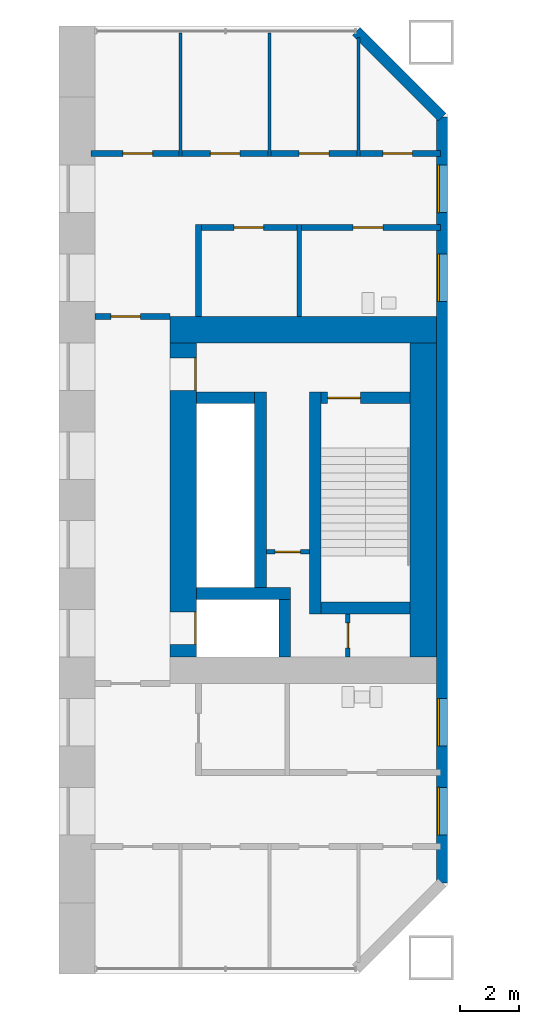
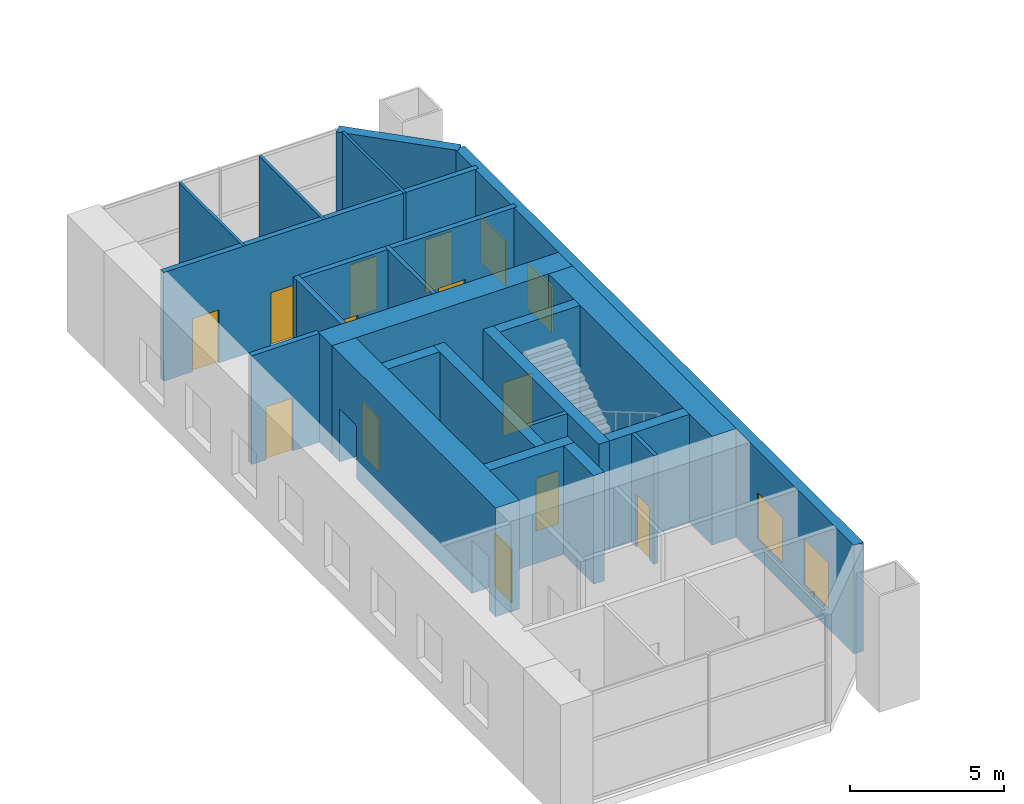
# One storey, part 13 of 21: 22 walls, 12 doors, 4 windows, 16 openings.
"""IFC4 building model written with IfcOpenShell, lengths in metres."""

from ifc_helpers import new_model, si_unit, direction, frame, frame_2d, origin, place, context, subcontext, project, spatial, rectangle, extrude, material, layer, layer_set, type_object, element, fill, save


model = new_model("IFC4")

# Units and contexts
model_context = context("Model", 3, precision=1e-05, world=origin(), true_north=direction((0.0, 1.0)))
body_context = subcontext(model_context, "Body", "Model", "MODEL_VIEW")
ifc_project = project(units=[si_unit("LENGTHUNIT", "METRE"), si_unit("AREAUNIT", "SQUARE_METRE"), si_unit("VOLUMEUNIT", "CUBIC_METRE"), si_unit("PLANEANGLEUNIT", "RADIAN"), si_unit("MASSUNIT", "GRAM", prefix="KILO")], contexts=[model_context])

# Site, building, storey
site_placement = place(None, origin())
site = spatial("IfcSite", under=ifc_project, at=site_placement, CompositionType="ELEMENT")
building_placement = place(site_placement, origin())
building = spatial("IfcBuilding", under=site, at=building_placement, Name="Tuart Gate Housing", CompositionType="ELEMENT")
storey_placement = place(building_placement, frame((0.0, 0.0, 5.5)))
storey = spatial("IfcBuildingStorey", under=building, at=storey_placement, Name="L01", CompositionType="ELEMENT", Elevation=5.5)

# Wall
ifc_material_1 = material(Name="Gypsum board on steel studs", Category="steel")
ifc_layer_1 = layer(ifc_material_1, 0.14990234375)
ifc_layer_set_1 = layer_set([ifc_layer_1], Name="Bathroom wall 150")
wall_type_1 = type_object("IfcWallType", Name="Bathroom wall 150", PredefinedType="PLUMBINGWALL", material=ifc_layer_set_1)
wall_1_placement = place(storey_placement, frame((71.0, 76.199951171875, 0.0), z_axis=(0.0, 0.0, 1.0), x_axis=(0.0, 1.0, 0.0)))
element("IfcWall", 1, at=wall_1_placement, inside=storey, type_object=wall_type_1, Name="Bathroom wall 150", PredefinedType="PLUMBINGWALL", context=body_context, shape_type="SweptSolid", body=[
    extrude(rectangle(XDim=3.10009765625, YDim=0.14990234375, at=frame_2d((1.550048828125, 0.0))), origin(), (0.0, 0.0, 1.0), 4.300048828125),
])

# Wall, openings, windows
ifc_material_2 = material(Name="Brick", Category="masonry")
ifc_layer_2 = layer(ifc_material_2, 0.360107421875)
ifc_layer_set_2 = layer_set([ifc_layer_2], Name="Brick pier and spandrel wall 360")
wall_type_2 = type_object("IfcWallType", Name="Brick pier and spandrel wall 360", PredefinedType="STANDARD", material=ifc_layer_set_2)
wall_2_placement = place(storey_placement, frame((75.820068359375, 57.07470703125, 0.0), z_axis=(0.0, 0.0, 1.0), x_axis=(0.0, 1.0, 0.0)))
wall_2 = element("IfcWall", 2, at=wall_2_placement, inside=storey, type_object=wall_type_2, Name="External wall A-E L01", PredefinedType="STANDARD", context=body_context, shape_type="SweptSolid", body=[
    extrude(rectangle(XDim=25.850830078125, YDim=0.360107421875, at=frame_2d((12.92529296875, 0.0))), origin(), (0.0, 0.0, 1.0), 4.300048828125),
])
opening_1_placement = place(wall_2_placement, frame((1.62548828125, 0.0, 0.800048828125)))
opening_1 = element("IfcOpeningElement", 3, at=opening_1_placement, cuts=wall_2, Name="Opening W1", PredefinedType="OPENING", context=body_context, shape_type="SweptSolid", body=[
    extrude(rectangle(XDim=1.60009765625, YDim=1.800048828125, at=frame_2d((0.800048828125, 0.89990234375))), frame((0.0, 0.18994140625, 0.0), z_axis=(0.0, -1.0, 0.0), x_axis=(1.0, 0.0, 0.0)), (0.0, 0.0, 1.0), 0.380126953125),
])
opening_2_placement = place(wall_2_placement, frame((4.62548828125, 0.0, 0.800048828125)))
opening_2 = element("IfcOpeningElement", 4, at=opening_2_placement, cuts=wall_2, Name="Opening W1", PredefinedType="OPENING", context=body_context, shape_type="SweptSolid", body=[
    extrude(rectangle(XDim=1.60009765625, YDim=1.800048828125, at=frame_2d((0.800048828125, 0.89990234375))), frame((0.0, 0.18994140625, 0.0), z_axis=(0.0, -1.0, 0.0), x_axis=(1.0, 0.0, 0.0)), (0.0, 0.0, 1.0), 0.380126953125),
])
opening_3_placement = place(wall_2_placement, frame((19.62548828125, 0.0, 0.800048828125)))
opening_3 = element("IfcOpeningElement", 5, at=opening_3_placement, cuts=wall_2, Name="Opening W1", PredefinedType="OPENING", context=body_context, shape_type="SweptSolid", body=[
    extrude(rectangle(XDim=1.60009765625, YDim=1.800048828125, at=frame_2d((0.800048828125, 0.89990234375))), frame((0.0, 0.18994140625, 0.0), z_axis=(0.0, -1.0, 0.0), x_axis=(1.0, 0.0, 0.0)), (0.0, 0.0, 1.0), 0.380126953125),
])
opening_4_placement = place(wall_2_placement, frame((22.62548828125, 0.0, 0.800048828125)))
opening_4 = element("IfcOpeningElement", 6, at=opening_4_placement, cuts=wall_2, Name="Opening W1", PredefinedType="OPENING", context=body_context, shape_type="SweptSolid", body=[
    extrude(rectangle(XDim=1.60009765625, YDim=1.800048828125, at=frame_2d((0.800048828125, 0.89990234375))), frame((0.0, 0.18994140625, 0.0), z_axis=(0.0, -1.0, 0.0), x_axis=(1.0, 0.0, 0.0)), (0.0, 0.0, 1.0), 0.380126953125),
])
ifc_material_3 = material(Name="Aluminium frame with clear glass", Category="aluminium")
window_type = type_object("IfcWindowType", Name="Punched window 1600 x 1800", PartitioningType="SINGLE_PANEL", PredefinedType="WINDOW", material=ifc_material_3)
window_1_placement = place(opening_1_placement, origin())
window_1 = element("IfcWindow", 7, at=window_1_placement, inside=storey, type_object=window_type, Name="Window W1", OverallHeight=1.800048828125, OverallWidth=1.60009765625, PartitioningType="SINGLE_PANEL", PredefinedType="WINDOW", context=body_context, shape_type="SweptSolid", body=[
    extrude(rectangle(XDim=1.60009765625, YDim=1.800048828125, at=frame_2d((0.800048828125, 0.89990234375))), frame((0.0, 0.150146484375, 0.0), z_axis=(0.0, -1.0, 0.0), x_axis=(1.0, 0.0, 0.0)), (0.0, 0.0, 1.0), 0.06005859375),
])
fill(opening_1, window_1)
window_2_placement = place(opening_2_placement, origin())
window_2 = element("IfcWindow", 8, at=window_2_placement, inside=storey, type_object=window_type, Name="Window W1", OverallHeight=1.800048828125, OverallWidth=1.60009765625, PartitioningType="SINGLE_PANEL", PredefinedType="WINDOW", context=body_context, shape_type="SweptSolid", body=[
    extrude(rectangle(XDim=1.60009765625, YDim=1.800048828125, at=frame_2d((0.800048828125, 0.89990234375))), frame((0.0, 0.150146484375, 0.0), z_axis=(0.0, -1.0, 0.0), x_axis=(1.0, 0.0, 0.0)), (0.0, 0.0, 1.0), 0.06005859375),
])
fill(opening_2, window_2)
window_3_placement = place(opening_3_placement, origin())
window_3 = element("IfcWindow", 9, at=window_3_placement, inside=storey, type_object=window_type, Name="Window W1", OverallHeight=1.800048828125, OverallWidth=1.60009765625, PartitioningType="SINGLE_PANEL", PredefinedType="WINDOW", context=body_context, shape_type="SweptSolid", body=[
    extrude(rectangle(XDim=1.60009765625, YDim=1.800048828125, at=frame_2d((0.800048828125, 0.89990234375))), frame((0.0, 0.150146484375, 0.0), z_axis=(0.0, -1.0, 0.0), x_axis=(1.0, 0.0, 0.0)), (0.0, 0.0, 1.0), 0.06005859375),
])
fill(opening_3, window_3)
window_4_placement = place(opening_4_placement, origin())
window_4 = element("IfcWindow", 10, at=window_4_placement, inside=storey, type_object=window_type, Name="Window W1", OverallHeight=1.800048828125, OverallWidth=1.60009765625, PartitioningType="SINGLE_PANEL", PredefinedType="WINDOW", context=body_context, shape_type="SweptSolid", body=[
    extrude(rectangle(XDim=1.60009765625, YDim=1.800048828125, at=frame_2d((0.800048828125, 0.89990234375))), frame((0.0, 0.150146484375, 0.0), z_axis=(0.0, -1.0, 0.0), x_axis=(1.0, 0.0, 0.0)), (0.0, 0.0, 1.0), 0.06005859375),
])
fill(opening_4, window_4)

# Wall
wall_3_placement = place(storey_placement, frame((75.820068359375, 82.92529296875, 0.0), z_axis=(0.0, 0.0, 1.0), x_axis=(-0.707106781187, 0.707106781187, 0.0)))
element("IfcWall", 11, at=wall_3_placement, inside=storey, type_object=wall_type_2, Name="External wall A-NE L01", PredefinedType="STANDARD", context=body_context, shape_type="SweptSolid", body=[
    extrude(rectangle(XDim=4.09375, YDim=0.360107421875, at=frame_2d((2.046875, 0.0))), origin(), (0.0, 0.0, 1.0), 4.300048828125),
])

# Wall, opening, door
ifc_material_4 = material(Name="Plasterboard partition")
ifc_layer_3 = layer(ifc_material_4, 0.14990234375)
ifc_layer_set_3 = layer_set([ifc_layer_3], Name="Core partition 150")
wall_type_3 = type_object("IfcWallType", Name="Core partition 150", PredefinedType="PARTITIONING", material=ifc_layer_set_3)
wall_4_placement = place(storey_placement, frame((69.889892578125, 68.25, 0.0), z_axis=(0.0, 0.0, 1.0), x_axis=(1.0, 0.0, 0.0)))
wall_4 = element("IfcWall", 12, at=wall_4_placement, inside=storey, type_object=wall_type_3, Name="Core partition AG.3", PredefinedType="PARTITIONING", context=body_context, shape_type="SweptSolid", body=[
    extrude(rectangle(XDim=1.4501953125, YDim=0.14990234375, at=frame_2d((0.72509765625, 0.0))), origin(), (0.0, 0.0, 1.0), 4.300048828125),
])
opening_5_placement = place(wall_4_placement, frame((0.300048828125, 0.0, 0.0)))
opening_5 = element("IfcOpeningElement", 13, at=opening_5_placement, cuts=wall_4, Name="Opening D3111", PredefinedType="OPENING", context=body_context, shape_type="SweptSolid", body=[
    extrude(rectangle(XDim=0.85009765625, YDim=2.10009765625, at=frame_2d((0.425048828125, 1.050048828125))), frame((0.0, 0.0849609375, 0.0), z_axis=(0.0, -1.0, 0.0), x_axis=(1.0, 0.0, 0.0)), (0.0, 0.0, 1.0), 0.169921875),
])
ifc_material_5 = material(Name="Steel fire door", Category="steel")
door_type_1 = type_object("IfcDoorType", Name="Riser door 850 x 2100 RH", OperationType="SINGLE_SWING_RIGHT", PredefinedType="DOOR", material=ifc_material_5)
door_1_placement = place(opening_5_placement, frame((0.85009765625, 0.0, 0.0), z_axis=(0.0, 0.0, 1.0), x_axis=(-1.0, 0.0, 0.0)))
door_1 = element("IfcDoor", 14, at=door_1_placement, inside=storey, type_object=door_type_1, Name="Service room door AG.E1", OperationType="SINGLE_SWING_RIGHT", OverallHeight=2.10009765625, OverallWidth=0.85009765625, PredefinedType="DOOR", context=body_context, shape_type="SweptSolid", body=[
    extrude(rectangle(XDim=0.85009765625, YDim=2.10009765625, at=frame_2d((0.425048828125, 1.050048828125))), frame((0.0, 0.025146484375, 0.0), z_axis=(0.0, -1.0, 0.0), x_axis=(1.0, 0.0, 0.0)), (0.0, 0.0, 1.0), 0.050048828125),
])
fill(opening_5, door_1)

wall_5_placement = place(storey_placement, frame((72.639892578125, 64.699951171875, 0.0), z_axis=(0.0, 0.0, 1.0), x_axis=(0.0, 1.0, 0.0)))
wall_5 = element("IfcWall", 15, at=wall_5_placement, inside=storey, type_object=wall_type_3, Name="Core partition AG.9", PredefinedType="PARTITIONING", context=body_context, shape_type="SweptSolid", body=[
    extrude(rectangle(XDim=1.449951171875, YDim=0.14990234375, at=frame_2d((0.72509765625, 0.0))), origin(), (0.0, 0.0, 1.0), 4.300048828125),
])
opening_6_placement = place(wall_5_placement, frame((0.300048828125, 0.0, 0.0)))
opening_6 = element("IfcOpeningElement", 16, at=opening_6_placement, cuts=wall_5, Name="Opening D3113", PredefinedType="OPENING", context=body_context, shape_type="SweptSolid", body=[
    extrude(rectangle(XDim=0.85009765625, YDim=2.10009765625, at=frame_2d((0.425048828125, 1.050048828125))), frame((0.0, 0.0849609375, 0.0), z_axis=(0.0, -1.0, 0.0), x_axis=(1.0, 0.0, 0.0)), (0.0, 0.0, 1.0), 0.169921875),
])
ifc_material_6 = material(Name="Steel fire door", Category="steel")
door_type_2 = type_object("IfcDoorType", Name="Service door 850 x 2100", OperationType="SINGLE_SWING_LEFT", PredefinedType="DOOR", material=ifc_material_6)
door_2_placement = place(opening_6_placement, origin())
door_2 = element("IfcDoor", 17, at=door_2_placement, inside=storey, type_object=door_type_2, Name="Service room door AG.E2", OperationType="SINGLE_SWING_LEFT", OverallHeight=2.10009765625, OverallWidth=0.85009765625, PredefinedType="DOOR", context=body_context, shape_type="SweptSolid", body=[
    extrude(rectangle(XDim=0.85009765625, YDim=2.10009765625, at=frame_2d((0.425048828125, 1.050048828125))), frame((0.0, 0.02490234375, 0.0), z_axis=(0.0, -1.0, 0.0), x_axis=(1.0, 0.0, 0.0)), (0.0, 0.0, 1.0), 0.050048828125),
])
fill(opening_6, door_2)

# Walls
ifc_material_7 = material(Name="Concrete C60", Category="concrete")
ifc_layer_4 = layer(ifc_material_7, 0.39990234375)
ifc_layer_set_4 = layer_set([ifc_layer_4], Name="Core wall 400 C60")
wall_type_4 = type_object("IfcWallType", Name="Core wall 400 C60", PredefinedType="SHEAR", material=ifc_layer_set_4)
wall_6_placement = place(storey_placement, frame((71.739990234375, 66.35009765625, 0.0), z_axis=(0.0, 0.0, 1.0), x_axis=(1.0, 0.0, 0.0)))
element("IfcWall", 18, at=wall_6_placement, inside=storey, type_object=wall_type_4, Name="Core wall AG.1", PredefinedType="SHEAR", context=body_context, shape_type="SweptSolid", body=[
    extrude(rectangle(XDim=3.0, YDim=0.39990234375, at=frame_2d((1.5, 0.0))), origin(), (0.0, 0.0, 1.0), 4.300048828125),
])
wall_7_placement = place(storey_placement, frame((67.5400390625, 66.85009765625, 0.0), z_axis=(0.0, 0.0, 1.0), x_axis=(1.0, 0.0, 0.0)))
element("IfcWall", 19, at=wall_7_placement, inside=storey, type_object=wall_type_4, Name="Core wall AG.2", PredefinedType="SHEAR", context=body_context, shape_type="SweptSolid", body=[
    extrude(rectangle(XDim=3.169921875, YDim=0.39990234375, at=frame_2d((1.5849609375, 0.0))), origin(), (0.0, 0.0, 1.0), 4.300048828125),
])
wall_8_placement = place(storey_placement, frame((67.5400390625, 73.449951171875, 0.0), z_axis=(0.0, 0.0, 1.0), x_axis=(1.0, 0.0, 0.0)))
element("IfcWall", 20, at=wall_8_placement, inside=storey, type_object=wall_type_4, Name="Core wall AG.4", PredefinedType="SHEAR", context=body_context, shape_type="SweptSolid", body=[
    extrude(rectangle(XDim=1.949951171875, YDim=0.39990234375, at=frame_2d((0.97509765625, 0.0))), origin(), (0.0, 0.0, 1.0), 4.300048828125),
])

# Wall, opening, door
wall_9_placement = place(storey_placement, frame((71.739990234375, 73.449951171875, 0.0), z_axis=(0.0, 0.0, 1.0), x_axis=(1.0, 0.0, 0.0)))
wall_9 = element("IfcWall", 21, at=wall_9_placement, inside=storey, type_object=wall_type_4, Name="Core wall AG.5", PredefinedType="SHEAR", context=body_context, shape_type="SweptSolid", body=[
    extrude(rectangle(XDim=3.0, YDim=0.39990234375, at=frame_2d((1.5, 0.0))), origin(), (0.0, 0.0, 1.0), 4.300048828125),
])
opening_7_placement = place(wall_9_placement, frame((0.219970703125, 0.0, 0.0)))
opening_7 = element("IfcOpeningElement", 22, at=opening_7_placement, cuts=wall_9, Name="Opening D3102", PredefinedType="OPENING", context=body_context, shape_type="SweptSolid", body=[
    extrude(rectangle(XDim=1.10009765625, YDim=2.10009765625, at=frame_2d((0.550048828125, 1.050048828125))), frame((0.0, 0.2099609375, 0.0), z_axis=(0.0, -1.0, 0.0), x_axis=(1.0, 0.0, 0.0)), (0.0, 0.0, 1.0), 0.419921875),
])
ifc_material_8 = material(Name="Steel fire door", Category="steel")
door_type_3 = type_object("IfcDoorType", Name="Stair door 1100 x 2100 RH", OperationType="SINGLE_SWING_RIGHT", PredefinedType="DOOR", material=ifc_material_8)
door_3_placement = place(opening_7_placement, frame((1.10009765625, 0.0, 0.0), z_axis=(0.0, 0.0, 1.0), x_axis=(-1.0, 0.0, 0.0)))
door_3 = element("IfcDoor", 23, at=door_3_placement, inside=storey, type_object=door_type_3, Name="Stair door AG.SD", OperationType="SINGLE_SWING_RIGHT", OverallHeight=2.10009765625, OverallWidth=1.10009765625, PredefinedType="DOOR", context=body_context, shape_type="SweptSolid", body=[
    extrude(rectangle(XDim=1.10009765625, YDim=2.10009765625, at=frame_2d((0.550048828125, 1.050048828125))), frame((0.0, 0.025146484375, 0.0), z_axis=(0.0, -1.0, 0.0), x_axis=(1.0, 0.0, 0.0)), (0.0, 0.0, 1.0), 0.050048828125),
])
fill(opening_7, door_3)

# Walls
wall_10_placement = place(storey_placement, frame((69.68994140625, 67.050048828125, 0.0), z_axis=(0.0, 0.0, 1.0), x_axis=(0.0, 1.0, 0.0)))
element("IfcWall", 24, at=wall_10_placement, inside=storey, type_object=wall_type_4, Name="Core wall AG.6", PredefinedType="SHEAR", context=body_context, shape_type="SweptSolid", body=[
    extrude(rectangle(XDim=6.599853515625, YDim=0.39990234375, at=frame_2d((3.2998046875, 0.0))), origin(), (0.0, 0.0, 1.0), 4.300048828125),
])
wall_11_placement = place(storey_placement, frame((70.510009765625, 64.699951171875, 0.0), z_axis=(0.0, 0.0, 1.0), x_axis=(0.0, 1.0, 0.0)))
element("IfcWall", 25, at=wall_11_placement, inside=storey, type_object=wall_type_4, Name="Core wall AG.7", PredefinedType="SHEAR", context=body_context, shape_type="SweptSolid", body=[
    extrude(rectangle(XDim=1.949951171875, YDim=0.39990234375, at=frame_2d((0.97509765625, 0.0))), origin(), (0.0, 0.0, 1.0), 4.300048828125),
])
wall_12_placement = place(storey_placement, frame((71.5400390625, 66.14990234375, 0.0), z_axis=(0.0, 0.0, 1.0), x_axis=(0.0, 1.0, 0.0)))
element("IfcWall", 26, at=wall_12_placement, inside=storey, type_object=wall_type_4, Name="Core wall AG.8", PredefinedType="SHEAR", context=body_context, shape_type="SweptSolid", body=[
    extrude(rectangle(XDim=7.5, YDim=0.39990234375, at=frame_2d((3.75, 0.0))), origin(), (0.0, 0.0, 1.0), 4.300048828125),
])

# Wall, openings, doors
ifc_material_9 = material(Name="Concrete C60", Category="concrete")
ifc_layer_5 = layer(ifc_material_9, 0.89990234375)
ifc_layer_set_5 = layer_set([ifc_layer_5], Name="Core wall 900 C60")
wall_type_5 = type_object("IfcWallType", Name="Core wall 900 C60", PredefinedType="SHEAR", material=ifc_layer_set_5)
wall_13_placement = place(storey_placement, frame((67.090087890625, 64.699951171875, 0.0), z_axis=(0.0, 0.0, 1.0), x_axis=(0.0, 1.0, 0.0)))
wall_13 = element("IfcWall", 27, at=wall_13_placement, inside=storey, type_object=wall_type_5, Name="Core wall AG front", PredefinedType="SHEAR", context=body_context, shape_type="SweptSolid", body=[
    extrude(rectangle(XDim=10.60009765625, YDim=0.89990234375, at=frame_2d((5.300048828125, 0.0))), origin(), (0.0, 0.0, 1.0), 4.300048828125),
])
opening_8_placement = place(wall_13_placement, frame((0.425048828125, 0.0, 0.0)))
opening_8 = element("IfcOpeningElement", 28, at=opening_8_placement, cuts=wall_13, Name="Opening LD-FA1", PredefinedType="OPENING", context=body_context, shape_type="SweptSolid", body=[
    extrude(rectangle(XDim=1.10009765625, YDim=2.10009765625, at=frame_2d((0.550048828125, 1.050048828125))), frame((0.0, 0.4599609375, 0.0), z_axis=(0.0, -1.0, 0.0), x_axis=(1.0, 0.0, 0.0)), (0.0, 0.0, 1.0), 0.919921875),
])
opening_9_placement = place(wall_13_placement, frame((9.0, 0.0, 0.0)))
opening_9 = element("IfcOpeningElement", 29, at=opening_9_placement, cuts=wall_13, Name="Opening D3110", PredefinedType="OPENING", context=body_context, shape_type="SweptSolid", body=[
    extrude(rectangle(XDim=1.10009765625, YDim=2.10009765625, at=frame_2d((0.550048828125, 1.050048828125))), frame((0.0, 0.4599609375, 0.0), z_axis=(0.0, -1.0, 0.0), x_axis=(1.0, 0.0, 0.0)), (0.0, 0.0, 1.0), 0.919921875),
])
ifc_material_10 = material(Name="Stainless steel", Category="steel")
door_type_4 = type_object("IfcDoorType", Name="Landing door 1100 x 2100", OperationType="DOUBLE_DOOR_SLIDING", PredefinedType="DOOR", material=ifc_material_10)
door_4_placement = place(opening_8_placement, origin())
door_4 = element("IfcDoor", 30, at=door_4_placement, inside=storey, type_object=door_type_4, Name="Lift landing door FA1", OperationType="DOUBLE_DOOR_SLIDING", OverallHeight=2.10009765625, OverallWidth=1.10009765625, PredefinedType="DOOR", context=body_context, shape_type="SweptSolid", body=[
    extrude(rectangle(XDim=1.10009765625, YDim=2.10009765625, at=frame_2d((0.550048828125, 1.050048828125))), frame((0.0, -0.384765625, 0.0), z_axis=(0.0, -1.0, 0.0), x_axis=(1.0, 0.0, 0.0)), (0.0, 0.0, 1.0), 0.050048828125),
])
fill(opening_8, door_4)
ifc_material_11 = material(Name="Steel fire door", Category="steel")
door_type_5 = type_object("IfcDoorType", Name="Lobby door 1100 x 2100 RH", OperationType="SINGLE_SWING_RIGHT", PredefinedType="DOOR", material=ifc_material_11)
door_5_placement = place(opening_9_placement, frame((1.10009765625, 0.0, 0.0), z_axis=(0.0, 0.0, 1.0), x_axis=(-1.0, 0.0, 0.0)))
door_5 = element("IfcDoor", 31, at=door_5_placement, inside=storey, type_object=door_type_5, Name="Lobby entry door AG.EN", OperationType="SINGLE_SWING_RIGHT", OverallHeight=2.10009765625, OverallWidth=1.10009765625, PredefinedType="DOOR", context=body_context, shape_type="SweptSolid", body=[
    extrude(rectangle(XDim=1.10009765625, YDim=2.10009765625, at=frame_2d((0.550048828125, 1.050048828125))), frame((0.0, 0.434814453125, 0.0), z_axis=(0.0, -1.0, 0.0), x_axis=(1.0, 0.0, 0.0)), (0.0, 0.0, 1.0), 0.050048828125),
])
fill(opening_9, door_5)

# Walls
wall_14_placement = place(storey_placement, frame((75.18994140625, 64.699951171875, 0.0), z_axis=(0.0, 0.0, 1.0), x_axis=(0.0, 1.0, 0.0)))
element("IfcWall", 32, at=wall_14_placement, inside=storey, type_object=wall_type_5, Name="Core wall AG back", PredefinedType="SHEAR", context=body_context, shape_type="SweptSolid", body=[
    extrude(rectangle(XDim=10.60009765625, YDim=0.89990234375, at=frame_2d((5.300048828125, 0.0))), origin(), (0.0, 0.0, 1.0), 4.300048828125),
])
wall_15_placement = place(storey_placement, frame((66.639892578125, 75.75, 0.0), z_axis=(0.0, 0.0, 1.0), x_axis=(1.0, 0.0, 0.0)))
element("IfcWall", 33, at=wall_15_placement, inside=storey, type_object=wall_type_5, Name="Core wall AG north", PredefinedType="SHEAR", context=body_context, shape_type="SweptSolid", body=[
    extrude(rectangle(XDim=9.0, YDim=0.89990234375, at=frame_2d((4.5, 0.0))), origin(), (0.0, 0.0, 1.0), 4.300048828125),
])

# Wall, openings, doors
ifc_material_12 = material(Name="Concrete masonry 15 MPa", Category="masonry")
ifc_layer_6 = layer(ifc_material_12, 0.199951171875)
ifc_layer_set_6 = layer_set([ifc_layer_6], Name="Corridor wall masonry 200")
wall_type_6 = type_object("IfcWallType", Name="Corridor wall masonry 200", PredefinedType="PARTITIONING", material=ifc_layer_set_6)
wall_16_placement = place(storey_placement, frame((67.5, 79.199951171875, 0.0), z_axis=(0.0, 0.0, 1.0), x_axis=(1.0, 0.0, 0.0)))
wall_16 = element("IfcWall", 34, at=wall_16_placement, inside=storey, type_object=wall_type_6, Name="Corridor wall masonry 200", PredefinedType="PARTITIONING", context=body_context, shape_type="SweptSolid", body=[
    extrude(rectangle(XDim=8.260009765625, YDim=0.199951171875, at=frame_2d((4.1298828125, 0.0))), origin(), (0.0, 0.0, 1.0), 4.300048828125),
])
opening_10_placement = place(wall_16_placement, frame((1.300048828125, 0.0, 0.0)))
opening_10 = element("IfcOpeningElement", 35, at=opening_10_placement, cuts=wall_16, Name="Opening D3096", PredefinedType="OPENING", context=body_context, shape_type="SweptSolid", body=[
    extrude(rectangle(XDim=1.0, YDim=2.10009765625, at=frame_2d((0.5, 1.050048828125))), frame((0.0, 0.10986328125, 0.0), z_axis=(0.0, -1.0, 0.0), x_axis=(1.0, 0.0, 0.0)), (0.0, 0.0, 1.0), 0.219970703125),
])
opening_11_placement = place(wall_16_placement, frame((5.320068359375, 0.0, 0.0)))
opening_11 = element("IfcOpeningElement", 36, at=opening_11_placement, cuts=wall_16, Name="Opening D3097", PredefinedType="OPENING", context=body_context, shape_type="SweptSolid", body=[
    extrude(rectangle(XDim=1.0, YDim=2.10009765625, at=frame_2d((0.5, 1.050048828125))), frame((0.0, 0.10986328125, 0.0), z_axis=(0.0, -1.0, 0.0), x_axis=(1.0, 0.0, 0.0)), (0.0, 0.0, 1.0), 0.219970703125),
])
ifc_material_13 = material(Name="Timber door leaf in steel frame", Category="steel")
door_type_6 = type_object("IfcDoorType", Name="Fire door 1000 RH", OperationType="SINGLE_SWING_RIGHT", PredefinedType="DOOR", material=ifc_material_13)
door_6_placement = place(opening_10_placement, frame((1.0, 0.0, 0.0), z_axis=(0.0, 0.0, 1.0), x_axis=(-1.0, 0.0, 0.0)))
door_6 = element("IfcDoor", 37, at=door_6_placement, inside=storey, type_object=door_type_6, Name="Fire door 1000", OperationType="SINGLE_SWING_RIGHT", OverallHeight=2.10009765625, OverallWidth=1.0, PredefinedType="DOOR", context=body_context, shape_type="SweptSolid", body=[
    extrude(rectangle(XDim=1.0, YDim=2.10009765625, at=frame_2d((0.5, 1.050048828125))), frame((0.0, 0.025146484375, 0.0), z_axis=(0.0, -1.0, 0.0), x_axis=(1.0, 0.0, 0.0)), (0.0, 0.0, 1.0), 0.050048828125),
])
fill(opening_10, door_6)
door_7_placement = place(opening_11_placement, frame((1.0, 0.0, 0.0), z_axis=(0.0, 0.0, 1.0), x_axis=(-1.0, 0.0, 0.0)))
door_7 = element("IfcDoor", 38, at=door_7_placement, inside=storey, type_object=door_type_6, Name="Fire door 1000", OperationType="SINGLE_SWING_RIGHT", OverallHeight=2.10009765625, OverallWidth=1.0, PredefinedType="DOOR", context=body_context, shape_type="SweptSolid", body=[
    extrude(rectangle(XDim=1.0, YDim=2.10009765625, at=frame_2d((0.5, 1.050048828125))), frame((0.0, 0.025146484375, 0.0), z_axis=(0.0, -1.0, 0.0), x_axis=(1.0, 0.0, 0.0)), (0.0, 0.0, 1.0), 0.050048828125),
])
fill(opening_11, door_7)

wall_17_placement = place(storey_placement, frame((63.97998046875, 81.699951171875, 0.0), z_axis=(0.0, 0.0, 1.0), x_axis=(1.0, 0.0, 0.0)))
wall_17 = element("IfcWall", 39, at=wall_17_placement, inside=storey, type_object=wall_type_6, Name="Corridor wall masonry 200", PredefinedType="PARTITIONING", context=body_context, shape_type="SweptSolid", body=[
    extrude(rectangle(XDim=11.780029296875, YDim=0.199951171875, at=frame_2d((5.89013671875, 0.0))), origin(), (0.0, 0.0, 1.0), 4.300048828125),
])
opening_12_placement = place(wall_17_placement, frame((1.070068359375, 0.0, 0.0)))
opening_12 = element("IfcOpeningElement", 40, at=opening_12_placement, cuts=wall_17, Name="Opening D3091", PredefinedType="OPENING", context=body_context, shape_type="SweptSolid", body=[
    extrude(rectangle(XDim=1.0, YDim=2.10009765625, at=frame_2d((0.5, 1.050048828125))), frame((0.0, 0.10986328125, 0.0), z_axis=(0.0, -1.0, 0.0), x_axis=(1.0, 0.0, 0.0)), (0.0, 0.0, 1.0), 0.219970703125),
])
opening_13_placement = place(wall_17_placement, frame((4.02001953125, 0.0, 0.0)))
opening_13 = element("IfcOpeningElement", 41, at=opening_13_placement, cuts=wall_17, Name="Opening D3092", PredefinedType="OPENING", context=body_context, shape_type="SweptSolid", body=[
    extrude(rectangle(XDim=1.0, YDim=2.10009765625, at=frame_2d((0.5, 1.050048828125))), frame((0.0, 0.10986328125, 0.0), z_axis=(0.0, -1.0, 0.0), x_axis=(1.0, 0.0, 0.0)), (0.0, 0.0, 1.0), 0.219970703125),
])
opening_14_placement = place(wall_17_placement, frame((7.02001953125, 0.0, 0.0)))
opening_14 = element("IfcOpeningElement", 42, at=opening_14_placement, cuts=wall_17, Name="Opening D3093", PredefinedType="OPENING", context=body_context, shape_type="SweptSolid", body=[
    extrude(rectangle(XDim=1.0, YDim=2.10009765625, at=frame_2d((0.5, 1.050048828125))), frame((0.0, 0.10986328125, 0.0), z_axis=(0.0, -1.0, 0.0), x_axis=(1.0, 0.0, 0.0)), (0.0, 0.0, 1.0), 0.219970703125),
])
opening_15_placement = place(wall_17_placement, frame((9.840087890625, 0.0, 0.0)))
opening_15 = element("IfcOpeningElement", 43, at=opening_15_placement, cuts=wall_17, Name="Opening D3094", PredefinedType="OPENING", context=body_context, shape_type="SweptSolid", body=[
    extrude(rectangle(XDim=1.0, YDim=2.10009765625, at=frame_2d((0.5, 1.050048828125))), frame((0.0, 0.10986328125, 0.0), z_axis=(0.0, -1.0, 0.0), x_axis=(1.0, 0.0, 0.0)), (0.0, 0.0, 1.0), 0.219970703125),
])
ifc_material_14 = material(Name="Timber door leaf in steel frame", Category="steel")
door_type_7 = type_object("IfcDoorType", Name="Fire door 1000", OperationType="SINGLE_SWING_LEFT", PredefinedType="DOOR", material=ifc_material_14)
door_8_placement = place(opening_12_placement, origin())
door_8 = element("IfcDoor", 44, at=door_8_placement, inside=storey, type_object=door_type_7, Name="Fire door 1000", OperationType="SINGLE_SWING_LEFT", OverallHeight=2.10009765625, OverallWidth=1.0, PredefinedType="DOOR", context=body_context, shape_type="SweptSolid", body=[
    extrude(rectangle(XDim=1.0, YDim=2.10009765625, at=frame_2d((0.5, 1.050048828125))), frame((0.0, 0.02490234375, 0.0), z_axis=(0.0, -1.0, 0.0), x_axis=(1.0, 0.0, 0.0)), (0.0, 0.0, 1.0), 0.050048828125),
])
fill(opening_12, door_8)
door_9_placement = place(opening_13_placement, origin())
door_9 = element("IfcDoor", 45, at=door_9_placement, inside=storey, type_object=door_type_7, Name="Fire door 1000", OperationType="SINGLE_SWING_LEFT", OverallHeight=2.10009765625, OverallWidth=1.0, PredefinedType="DOOR", context=body_context, shape_type="SweptSolid", body=[
    extrude(rectangle(XDim=1.0, YDim=2.10009765625, at=frame_2d((0.5, 1.050048828125))), frame((0.0, 0.02490234375, 0.0), z_axis=(0.0, -1.0, 0.0), x_axis=(1.0, 0.0, 0.0)), (0.0, 0.0, 1.0), 0.050048828125),
])
fill(opening_13, door_9)
door_10_placement = place(opening_14_placement, origin())
door_10 = element("IfcDoor", 46, at=door_10_placement, inside=storey, type_object=door_type_7, Name="Fire door 1000", OperationType="SINGLE_SWING_LEFT", OverallHeight=2.10009765625, OverallWidth=1.0, PredefinedType="DOOR", context=body_context, shape_type="SweptSolid", body=[
    extrude(rectangle(XDim=1.0, YDim=2.10009765625, at=frame_2d((0.5, 1.050048828125))), frame((0.0, 0.02490234375, 0.0), z_axis=(0.0, -1.0, 0.0), x_axis=(1.0, 0.0, 0.0)), (0.0, 0.0, 1.0), 0.050048828125),
])
fill(opening_14, door_10)
door_11_placement = place(opening_15_placement, origin())
door_11 = element("IfcDoor", 47, at=door_11_placement, inside=storey, type_object=door_type_7, Name="Fire door 1000", OperationType="SINGLE_SWING_LEFT", OverallHeight=2.10009765625, OverallWidth=1.0, PredefinedType="DOOR", context=body_context, shape_type="SweptSolid", body=[
    extrude(rectangle(XDim=1.0, YDim=2.10009765625, at=frame_2d((0.5, 1.050048828125))), frame((0.0, 0.02490234375, 0.0), z_axis=(0.0, -1.0, 0.0), x_axis=(1.0, 0.0, 0.0)), (0.0, 0.0, 1.0), 0.050048828125),
])
fill(opening_15, door_11)

# Wall
wall_18_placement = place(storey_placement, frame((67.60009765625, 76.199951171875, 0.0), z_axis=(0.0, 0.0, 1.0), x_axis=(0.0, 1.0, 0.0)))
element("IfcWall", 48, at=wall_18_placement, inside=storey, type_object=wall_type_6, Name="Corridor wall masonry 200", PredefinedType="PARTITIONING", context=body_context, shape_type="SweptSolid", body=[
    extrude(rectangle(XDim=3.10009765625, YDim=0.199951171875, at=frame_2d((1.550048828125, 0.0))), origin(), (0.0, 0.0, 1.0), 4.300048828125),
])

# Wall, opening, door
ifc_material_15 = material(Name="Concrete masonry 15 MPa", Category="masonry")
ifc_layer_7 = layer(ifc_material_15, 0.199951171875)
ifc_layer_set_7 = layer_set([ifc_layer_7], Name="Enclosure wall masonry 200")
wall_type_7 = type_object("IfcWallType", Name="Enclosure wall masonry 200", PredefinedType="PARTITIONING", material=ifc_layer_set_7)
wall_19_placement = place(storey_placement, frame((64.10009765625, 76.199951171875, 0.0), z_axis=(0.0, 0.0, 1.0), x_axis=(1.0, 0.0, 0.0)))
wall_19 = element("IfcWall", 49, at=wall_19_placement, inside=storey, type_object=wall_type_7, Name="Enclosure wall masonry 200", PredefinedType="PARTITIONING", context=body_context, shape_type="SweptSolid", body=[
    extrude(rectangle(XDim=2.539794921875, YDim=0.199951171875, at=frame_2d((1.27001953125, 0.0))), origin(), (0.0, 0.0, 1.0), 4.300048828125),
])
opening_16_placement = place(wall_19_placement, frame((0.5400390625, 0.0, 0.0)))
opening_16 = element("IfcOpeningElement", 50, at=opening_16_placement, cuts=wall_19, Name="Opening D3101", PredefinedType="OPENING", context=body_context, shape_type="SweptSolid", body=[
    extrude(rectangle(XDim=1.0, YDim=2.10009765625, at=frame_2d((0.5, 1.050048828125))), frame((0.0, 0.10986328125, 0.0), z_axis=(0.0, -1.0, 0.0), x_axis=(1.0, 0.0, 0.0)), (0.0, 0.0, 1.0), 0.219970703125),
])
ifc_material_16 = material(Name="Timber door leaf in steel frame", Category="steel")
door_type_8 = type_object("IfcDoorType", Name="Lobby door 1000 RH", OperationType="SINGLE_SWING_RIGHT", PredefinedType="DOOR", material=ifc_material_16)
door_12_placement = place(opening_16_placement, frame((1.0, 0.0, 0.0), z_axis=(0.0, 0.0, 1.0), x_axis=(-1.0, 0.0, 0.0)))
door_12 = element("IfcDoor", 51, at=door_12_placement, inside=storey, type_object=door_type_8, Name="Lobby door 1000", OperationType="SINGLE_SWING_RIGHT", OverallHeight=2.10009765625, OverallWidth=1.0, PredefinedType="DOOR", context=body_context, shape_type="SweptSolid", body=[
    extrude(rectangle(XDim=1.0, YDim=2.10009765625, at=frame_2d((0.5, 1.050048828125))), frame((0.0, 0.025146484375, 0.0), z_axis=(0.0, -1.0, 0.0), x_axis=(1.0, 0.0, 0.0)), (0.0, 0.0, 1.0), 0.050048828125),
])
fill(opening_16, door_12)

# Walls
ifc_material_17 = material(Name="Gypsum board on steel studs", Category="steel")
ifc_layer_8 = layer(ifc_material_17, 0.10009765625)
ifc_layer_set_8 = layer_set([ifc_layer_8], Name="Partition 100")
wall_type_8 = type_object("IfcWallType", Name="Partition 100", PredefinedType="PARTITIONING", material=ifc_layer_set_8)
for number, where, z_axis, x_axis, name in (
    (52, (67.0, 81.60009765625, 0.0), (0.0, 0.0, 1.0), (0.0, 1.0, 0.0), "Partition 100"),
    (53, (70.0, 81.60009765625, 0.0), (0.0, 0.0, 1.0), (0.0, 1.0, 0.0), "Partition 100"),
):
    element("IfcWall", number, at=place(storey_placement, frame(where, z_axis=z_axis, x_axis=x_axis)), inside=storey, type_object=wall_type_8, Name=name, PredefinedType="PARTITIONING", context=body_context, shape_type="SweptSolid", body=[
        extrude(rectangle(XDim=4.159912109375, YDim=0.10009765625, at=frame_2d((2.080078125, 0.0))), origin(), (0.0, 0.0, 1.0), 4.300048828125),
    ])
wall_20_placement = place(storey_placement, frame((73.0, 81.60009765625, 0.0), z_axis=(0.0, 0.0, 1.0), x_axis=(0.0, 1.0, 0.0)))
element("IfcWall", 54, at=wall_20_placement, inside=storey, type_object=wall_type_8, Name="Partition 100", PredefinedType="PARTITIONING", context=body_context, shape_type="SweptSolid", body=[
    extrude(rectangle(XDim=4.010986328125, YDim=0.10009765625, at=frame_2d((2.00537109375, 0.0))), origin(), (0.0, 0.0, 1.0), 4.300048828125),
])

save(model, "model.ifc")
